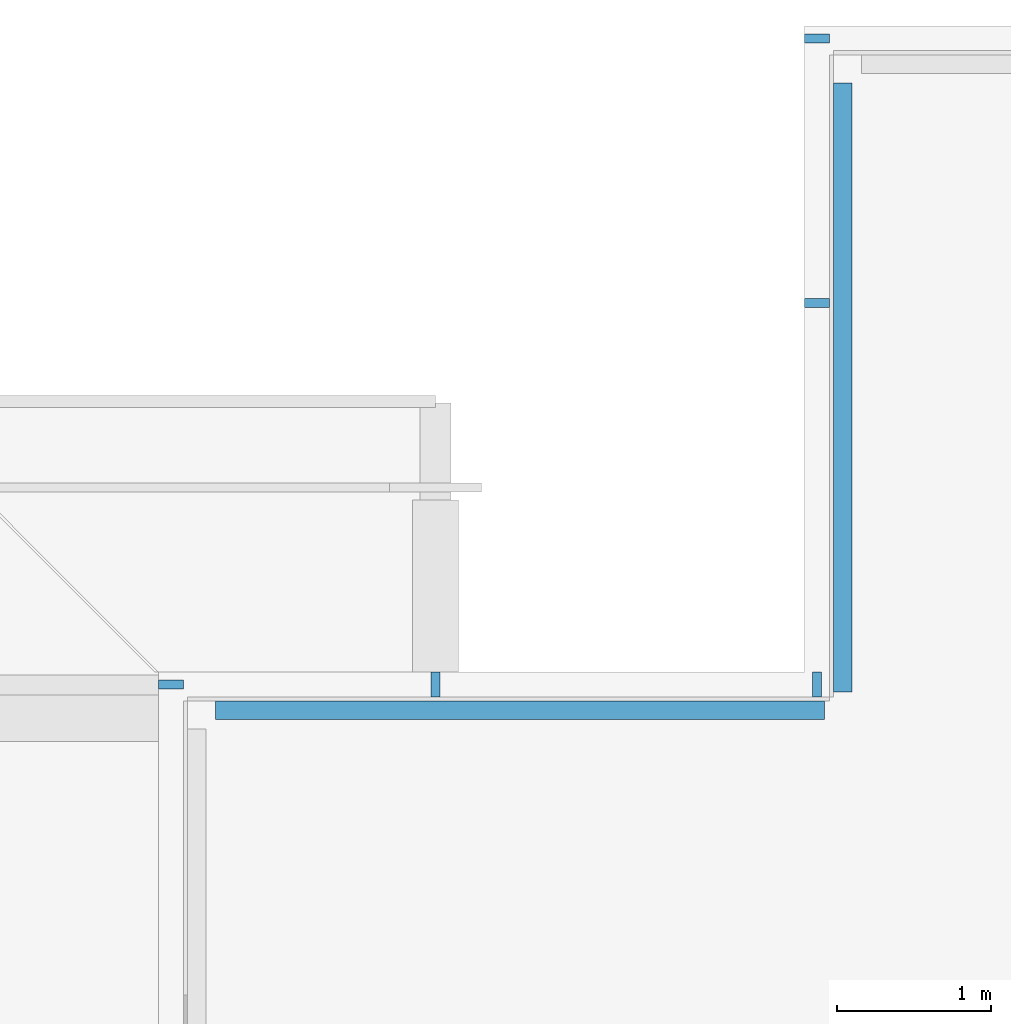
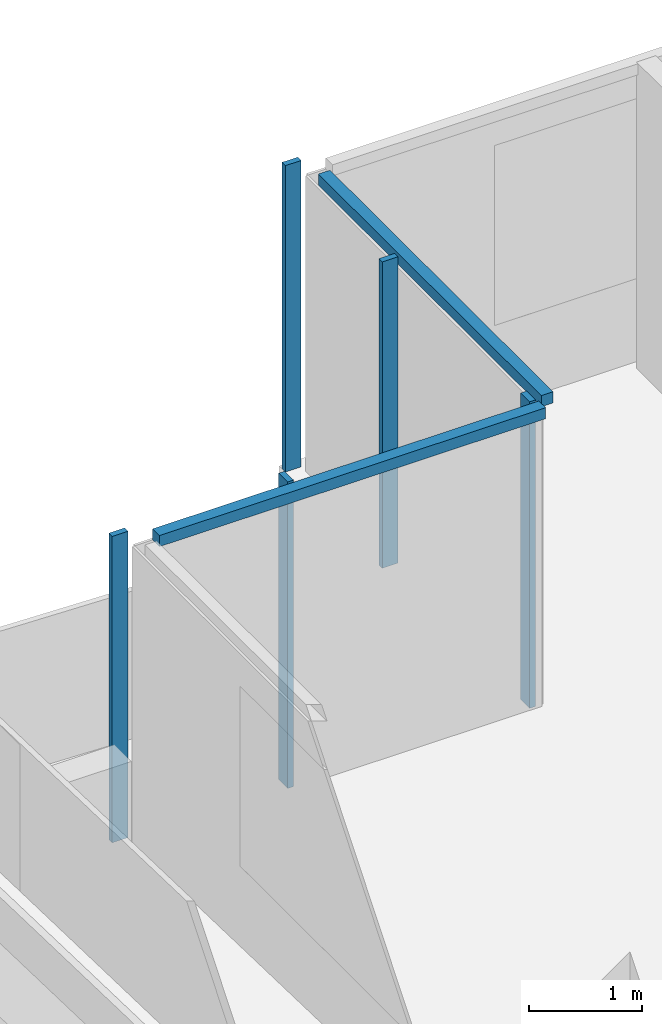
# One storey, part 6 of 20: 7 members, 3 elements without a shape of their own.
"""IFC4 building model written with IfcOpenShell, lengths in metres."""

from ifc_helpers import new_model, si_unit, direction, frame, origin, origin_2d, place, context, subcontext, project, spatial, rectangle, extrude, material, material_profile, profile_set, type_object, element, aggregate, save


model = new_model("IFC4")

# Units and contexts
model_context = context("Model", 3, precision=1e-05, world=origin(), true_north=direction((0.0, 1.0)))
body_context = subcontext(model_context, "Body", "Model", "MODEL_VIEW")
ifc_project = project(units=[si_unit("LENGTHUNIT", "METRE"), si_unit("AREAUNIT", "SQUARE_METRE"), si_unit("VOLUMEUNIT", "CUBIC_METRE"), si_unit("PLANEANGLEUNIT", "RADIAN"), si_unit("MASSUNIT", "GRAM", prefix="KILO")], contexts=[model_context])

# Site, building, storey
site_placement = place(None, origin())
site = spatial("IfcSite", under=ifc_project, at=site_placement, CompositionType="ELEMENT")
building_placement = place(site_placement, origin())
building = spatial("IfcBuilding", under=site, at=building_placement, Name="Saffron Gate Tower", CompositionType="ELEMENT")
storey_placement = place(building_placement, frame((0.0, 0.0, 303.14990234375)))
storey = spatial("IfcBuildingStorey", under=building, at=storey_placement, Name="L74", CompositionType="ELEMENT", Elevation=303.14990234375)

# Curtain wall, member
ifc_material = material(Name="Aluminium, bronze anodised", Category="aluminium")
curtain_wall_type_1 = type_object("IfcCurtainWallType", Name="CWS2 curtain wall side facades", PredefinedType="NOTDEFINED", material=ifc_material)
curtain_wall_1_placement = place(storey_placement, origin())
curtain_wall_1 = element("IfcCurtainWall", 1, at=curtain_wall_1_placement, inside=storey, type_object=curtain_wall_type_1, Name="CWS2 run 10", PredefinedType="NOTDEFINED")
ifc_material_profile_1 = material_profile(ifc_material, rectangle(XDim=0.159912109375, YDim=0.06005859375, at=origin_2d()))
ifc_profile_set_1 = profile_set([ifc_material_profile_1], Name="Aluminium, bronze anodised")
member_type_1 = type_object("IfcMemberType", Name="CWS2 mullion 60x160", PredefinedType="MULLION", material=ifc_profile_set_1)
member_1_placement = place(storey_placement, frame((56.47998046875, 71.320068359375, 0.0), z_axis=(0.0, 0.0, 1.0), x_axis=(1.0, 0.0, 0.0)))
member_1 = element("IfcMember", 2, at=member_1_placement, type_object=member_type_1, Name="CWS2 mullion 1", PredefinedType="MULLION", context=body_context, shape_type="SweptSolid", body=[
    extrude(rectangle(XDim=0.159912109375, YDim=0.06005859375, at=origin_2d()), origin(), (0.0, 0.0, 1.0), 3.320068359375),
])
aggregate(curtain_wall_1, [member_1])

curtain_wall_type_2 = type_object("IfcCurtainWallType", Name="CWS4 curtain wall corner returns", PredefinedType="NOTDEFINED", material=ifc_material)
curtain_wall_2_placement = place(storey_placement, origin())
curtain_wall_2 = element("IfcCurtainWall", 3, at=curtain_wall_2_placement, inside=storey, type_object=curtain_wall_type_2, Name="CWS4 run 8", PredefinedType="NOTDEFINED")
ifc_material_profile_2 = material_profile(ifc_material, rectangle(XDim=0.1201171875, YDim=0.1201171875, at=origin_2d()))
ifc_profile_set_2 = profile_set([ifc_material_profile_2], Name="Aluminium, bronze anodised")
member_type_2 = type_object("IfcMemberType", Name="CWS4 head transom", PredefinedType="USERDEFINED", material=ifc_profile_set_2)
member_2_placement = place(storey_placement, frame((60.847900390625, 75.23193359375, 3.260009765625), z_axis=(0.0, -1.0, 0.0), x_axis=(1.0, 0.0, 0.0)))
member_2 = element("IfcMember", 4, at=member_2_placement, type_object=member_type_2, Name="CWS4 head transom", ObjectType="TRANSOM", PredefinedType="USERDEFINED", context=body_context, shape_type="SweptSolid", body=[
    extrude(rectangle(XDim=0.1201171875, YDim=0.1201171875, at=origin_2d()), origin(), (0.0, 0.0, 1.0), 3.9599609375),
])

curtain_wall_3_placement = place(storey_placement, origin())
curtain_wall_3 = element("IfcCurtainWall", 5, at=curtain_wall_3_placement, inside=storey, type_object=curtain_wall_type_2, Name="CWS4 run 9", PredefinedType="NOTDEFINED")
member_3_placement = place(storey_placement, frame((60.72802734375, 71.152099609375, 3.260009765625), z_axis=(-1.0, 0.0, 0.0), x_axis=(0.0, -1.0, 0.0)))
member_3 = element("IfcMember", 6, at=member_3_placement, type_object=member_type_2, Name="CWS4 head transom", ObjectType="TRANSOM", PredefinedType="USERDEFINED", context=body_context, shape_type="SweptSolid", body=[
    extrude(rectangle(XDim=0.1201171875, YDim=0.1201171875, at=origin_2d()), origin(), (0.0, 0.0, 1.0), 3.9599609375),
])

# Member
ifc_material_profile_3 = material_profile(ifc_material, rectangle(XDim=0.159912109375, YDim=0.06005859375, at=origin_2d()))
ifc_profile_set_3 = profile_set([ifc_material_profile_3], Name="Aluminium, bronze anodised")
member_type_3 = type_object("IfcMemberType", Name="CWS4 mullion 60x160", PredefinedType="MULLION", material=ifc_profile_set_3)
member_4_placement = place(storey_placement, frame((60.679931640625, 75.52001953125, 0.0), z_axis=(0.0, 0.0, 1.0), x_axis=(1.0, 0.0, 0.0)))
member_4 = element("IfcMember", 7, at=member_4_placement, type_object=member_type_3, Name="CWS4 mullion 1", PredefinedType="MULLION", context=body_context, shape_type="SweptSolid", body=[
    extrude(rectangle(XDim=0.159912109375, YDim=0.06005859375, at=origin_2d()), origin(), (0.0, 0.0, 1.0), 3.320068359375),
])

member_5_placement = place(storey_placement, frame((60.679931640625, 73.800048828125, 0.0), z_axis=(0.0, 0.0, 1.0), x_axis=(1.0, 0.0, 0.0)))
member_5 = element("IfcMember", 8, at=member_5_placement, type_object=member_type_3, Name="CWS4 mullion 2", PredefinedType="MULLION", context=body_context, shape_type="SweptSolid", body=[
    extrude(rectangle(XDim=0.159912109375, YDim=0.06005859375, at=origin_2d()), origin(), (0.0, 0.0, 1.0), 3.320068359375),
])

aggregate(curtain_wall_2, [member_4, member_5, member_2])

member_6_placement = place(storey_placement, frame((60.679931640625, 71.320068359375, 0.0), z_axis=(0.0, 0.0, 1.0), x_axis=(0.0, -1.0, 0.0)))
member_6 = element("IfcMember", 9, at=member_6_placement, type_object=member_type_3, Name="CWS4 mullion 1", PredefinedType="MULLION", context=body_context, shape_type="SweptSolid", body=[
    extrude(rectangle(XDim=0.159912109375, YDim=0.06005859375, at=origin_2d()), origin(), (0.0, 0.0, 1.0), 3.320068359375),
])

member_7_placement = place(storey_placement, frame((58.199951171875, 71.320068359375, 0.0), z_axis=(0.0, 0.0, 1.0), x_axis=(0.0, -1.0, 0.0)))
member_7 = element("IfcMember", 10, at=member_7_placement, type_object=member_type_3, Name="CWS4 mullion 2", PredefinedType="MULLION", context=body_context, shape_type="SweptSolid", body=[
    extrude(rectangle(XDim=0.159912109375, YDim=0.06005859375, at=origin_2d()), origin(), (0.0, 0.0, 1.0), 3.320068359375),
])

aggregate(curtain_wall_3, [member_6, member_7, member_3])

save(model, "model.ifc")
